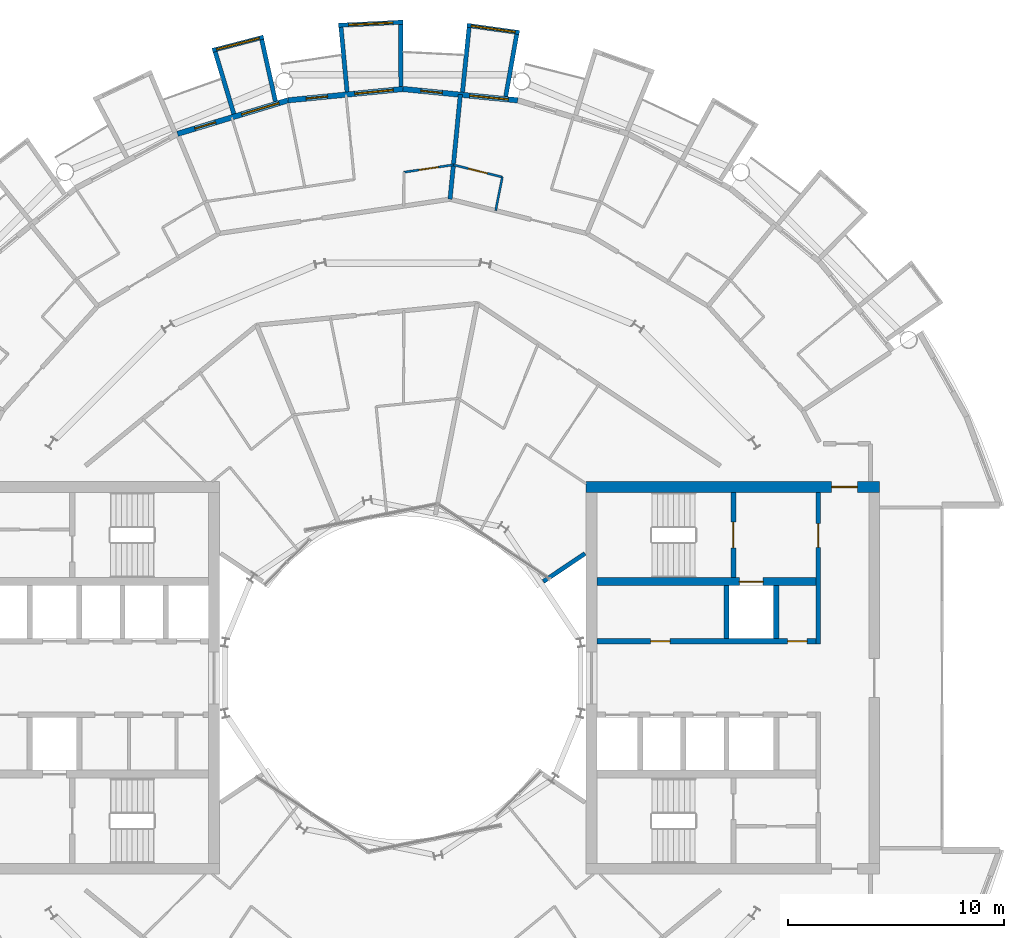
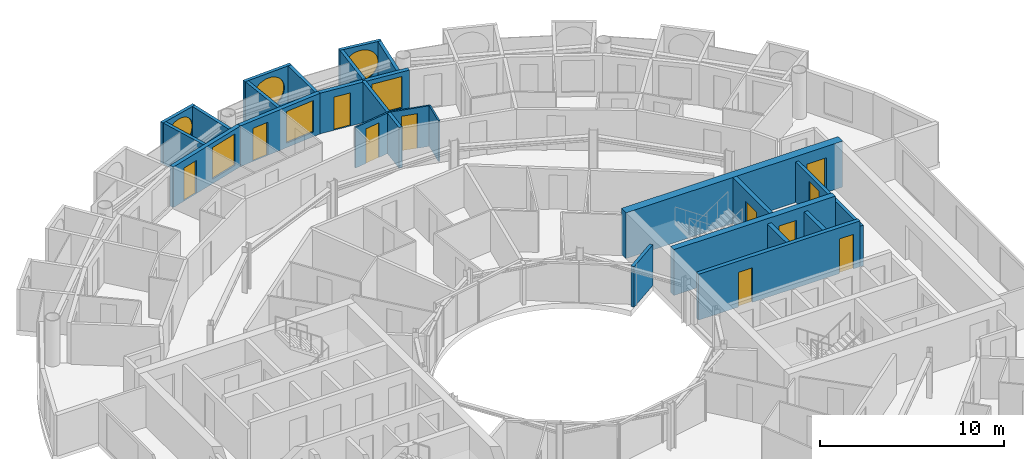
# One storey, part 21 of 27: 24 walls, 11 doors, 6 windows, 17 openings.
"""IFC4 building model written with IfcOpenShell, lengths in metres."""

from ifc_helpers import new_model, si_unit, direction, frame, frame_2d, origin, place, context, subcontext, project, spatial, rectangle, circle, extrude, material, layer, layer_set, type_object, element, fill, save


model = new_model("IFC4")

# Units and contexts
model_context = context("Model", 3, precision=1e-05, world=origin(), true_north=direction((0.0, 1.0)))
body_context = subcontext(model_context, "Body", "Model", "MODEL_VIEW")
ifc_project = project(units=[si_unit("LENGTHUNIT", "METRE"), si_unit("AREAUNIT", "SQUARE_METRE"), si_unit("VOLUMEUNIT", "CUBIC_METRE"), si_unit("PLANEANGLEUNIT", "RADIAN"), si_unit("MASSUNIT", "GRAM", prefix="KILO")], contexts=[model_context])

# Site, building, storey
site_placement = place(None, origin())
site = spatial("IfcSite", under=ifc_project, at=site_placement, CompositionType="ELEMENT")
building_placement = place(site_placement, origin())
building = spatial("IfcBuilding", under=site, at=building_placement, Name="Maasbend Ring Residences", CompositionType="ELEMENT")
storey_placement = place(building_placement, frame((0.0, 0.0, 145.199951171875)))
storey = spatial("IfcBuildingStorey", under=building, at=storey_placement, Name="L41", CompositionType="ELEMENT", Elevation=145.199951171875)

# Wall, openings, doors
ifc_material_1 = material(Name="Concrete C60/75", Category="concrete")
ifc_layer_1 = layer(ifc_material_1, 0.25)
ifc_layer_set_1 = layer_set([ifc_layer_1], Name="Concrete C60/75")
wall_type_1 = type_object("IfcWallType", Name="CORE WALL 250 C60/75", PredefinedType="SHEAR", material=ifc_layer_set_1)
wall_1_placement = place(storey_placement, frame((9.0, 1.699951171875, 0.0), z_axis=(0.0, 0.0, 1.0), x_axis=(1.0, 0.0, 0.0)))
wall_1 = element("IfcWall", 1, at=wall_1_placement, inside=storey, type_object=wall_type_1, Name="L41 core E wall SPN", PredefinedType="SHEAR", context=body_context, shape_type="SweptSolid", body=[
    extrude(rectangle(XDim=10.14990234375, YDim=0.25, at=frame_2d((5.074951171875, 0.0))), origin(), (0.0, 0.0, 1.0), 3.050048828125),
])
opening_1_placement = place(wall_1_placement, frame((2.487548828125, 0.0, 0.0)))
opening_1 = element("IfcOpeningElement", 2, at=opening_1_placement, cuts=wall_1, Name="Opening D-E4106", PredefinedType="OPENING", context=body_context, shape_type="SweptSolid", body=[
    extrude(rectangle(XDim=0.89990234375, YDim=2.300048828125, at=frame_2d((0.449951171875, 1.14990234375))), frame((0.0, 0.135009765625, 0.0), z_axis=(0.0, -1.0, 0.0), x_axis=(1.0, 0.0, 0.0)), (0.0, 0.0, 1.0), 0.27001953125),
])
opening_2_placement = place(wall_1_placement, frame((8.83740234375, 0.0, 0.0)))
opening_2 = element("IfcOpeningElement", 3, at=opening_2_placement, cuts=wall_1, Name="Opening D-E4107", PredefinedType="OPENING", context=body_context, shape_type="SweptSolid", body=[
    extrude(rectangle(XDim=0.89990234375, YDim=2.300048828125, at=frame_2d((0.449951171875, 1.14990234375))), frame((0.0, 0.135009765625, 0.0), z_axis=(0.0, -1.0, 0.0), x_axis=(1.0, 0.0, 0.0)), (0.0, 0.0, 1.0), 0.27001953125),
])
ifc_material_2 = material(Name="Steel, powder coated", Category="steel")
door_type_1 = type_object("IfcDoorType", Name="ROOM DOOR 900 X 2300 FD30S", OperationType="NOTDEFINED", PredefinedType="DOOR", material=ifc_material_2)
door_1_placement = place(opening_1_placement, origin())
door_1 = element("IfcDoor", 4, at=door_1_placement, inside=storey, type_object=door_type_1, Name="Room door L41", OperationType="SINGLE_SWING_RIGHT", OverallHeight=2.300048828125, OverallWidth=0.89990234375, PredefinedType="DOOR", context=body_context, shape_type="SweptSolid", body=[
    extrude(rectangle(XDim=0.89990234375, YDim=2.300048828125, at=frame_2d((0.449951171875, 1.14990234375))), frame((0.0, 0.02490234375, 0.0), z_axis=(0.0, -1.0, 0.0), x_axis=(1.0, 0.0, 0.0)), (0.0, 0.0, 1.0), 0.050048828125),
])
fill(opening_1, door_1)
door_2_placement = place(opening_2_placement, origin())
door_2 = element("IfcDoor", 5, at=door_2_placement, inside=storey, type_object=door_type_1, Name="Room door L41", OperationType="SINGLE_SWING_LEFT", OverallHeight=2.300048828125, OverallWidth=0.89990234375, PredefinedType="DOOR", context=body_context, shape_type="SweptSolid", body=[
    extrude(rectangle(XDim=0.89990234375, YDim=2.300048828125, at=frame_2d((0.449951171875, 1.14990234375))), frame((0.0, 0.02490234375, 0.0), z_axis=(0.0, -1.0, 0.0), x_axis=(1.0, 0.0, 0.0)), (0.0, 0.0, 1.0), 0.050048828125),
])
fill(opening_2, door_2)

# Wall, opening, door
wall_2_placement = place(storey_placement, frame((15.324951171875, 4.64990234375, 0.0), z_axis=(0.0, 0.0, 1.0), x_axis=(0.0, 1.0, 0.0)))
wall_2 = element("IfcWall", 6, at=wall_2_placement, inside=storey, type_object=wall_type_1, Name="L41 core E wall STEN", PredefinedType="SHEAR", context=body_context, shape_type="SweptSolid", body=[
    extrude(rectangle(XDim=3.9501953125, YDim=0.25, at=frame_2d((1.97509765625, 0.0))), origin(), (0.0, 0.0, 1.0), 3.050048828125),
])
opening_3_placement = place(wall_2_placement, frame((1.375, 0.0, 0.0)))
opening_3 = element("IfcOpeningElement", 7, at=opening_3_placement, cuts=wall_2, Name="Opening D-E4110", PredefinedType="OPENING", context=body_context, shape_type="SweptSolid", body=[
    extrude(rectangle(XDim=1.199951171875, YDim=2.300048828125, at=frame_2d((0.60009765625, 1.14990234375))), frame((0.0, 0.135009765625, 0.0), z_axis=(0.0, -1.0, 0.0), x_axis=(1.0, 0.0, 0.0)), (0.0, 0.0, 1.0), 0.27001953125),
])
ifc_material_3 = material(Name="Steel, powder coated", Category="steel")
door_type_2 = type_object("IfcDoorType", Name="STAIR DOOR 1200 X 2300 FD60", OperationType="NOTDEFINED", PredefinedType="DOOR", material=ifc_material_3)
door_3_placement = place(opening_3_placement, origin())
door_3 = element("IfcDoor", 8, at=door_3_placement, inside=storey, type_object=door_type_2, Name="Stair door ST-E L41", OperationType="SINGLE_SWING_LEFT", OverallHeight=2.300048828125, OverallWidth=1.199951171875, PredefinedType="DOOR", context=body_context, shape_type="SweptSolid", body=[
    extrude(rectangle(XDim=1.199951171875, YDim=2.300048828125, at=frame_2d((0.60009765625, 1.14990234375))), frame((0.0, 0.02490234375, 0.0), z_axis=(0.0, -1.0, 0.0), x_axis=(1.0, 0.0, 0.0)), (0.0, 0.0, 1.0), 0.050048828125),
])
fill(opening_3, door_3)

ifc_material_4 = material(Name="Concrete C60/75", Category="concrete")
ifc_layer_2 = layer(ifc_material_4, 0.375)
ifc_layer_set_2 = layer_set([ifc_layer_2], Name="Concrete C60/75")
wall_type_2 = type_object("IfcWallType", Name="CORE WALL 375 C60/75", PredefinedType="SHEAR", material=ifc_layer_set_2)
wall_3_placement = place(storey_placement, frame((9.0, 4.46240234375, 0.0), z_axis=(0.0, 0.0, 1.0), x_axis=(1.0, 0.0, 0.0)))
wall_3 = element("IfcWall", 9, at=wall_3_placement, inside=storey, type_object=wall_type_2, Name="L41 core E wall BN", PredefinedType="SHEAR", context=body_context, shape_type="SweptSolid", body=[
    extrude(rectangle(XDim=10.14990234375, YDim=0.375, at=frame_2d((5.074951171875, 0.0))), origin(), (0.0, 0.0, 1.0), 3.050048828125),
])
opening_4_placement = place(wall_3_placement, frame((6.60009765625, 0.0, 0.0)))
opening_4 = element("IfcOpeningElement", 10, at=opening_4_placement, cuts=wall_3, Name="Opening LD-E4101", PredefinedType="OPENING", context=body_context, shape_type="SweptSolid", body=[
    extrude(rectangle(XDim=1.10009765625, YDim=2.300048828125, at=frame_2d((0.550048828125, 1.14990234375))), frame((0.0, 0.197509765625, 0.0), z_axis=(0.0, -1.0, 0.0), x_axis=(1.0, 0.0, 0.0)), (0.0, 0.0, 1.0), 0.39501953125),
])
ifc_material_5 = material(Name="Stainless steel 316", Category="steel")
door_type_3 = type_object("IfcDoorType", Name="LANDING DOOR 1100 X 2300 FD60", OperationType="DOUBLE_DOOR_SLIDING", PredefinedType="DOOR", material=ifc_material_5)
door_4_placement = place(opening_4_placement, origin())
door_4 = element("IfcDoor", 11, at=door_4_placement, inside=storey, type_object=door_type_3, Name="Landing door FF-E L41", OperationType="DOUBLE_DOOR_SLIDING", OverallHeight=2.300048828125, OverallWidth=1.10009765625, PredefinedType="DOOR", context=body_context, shape_type="SweptSolid", body=[
    extrude(rectangle(XDim=1.10009765625, YDim=2.300048828125, at=frame_2d((0.550048828125, 1.14990234375))), frame((0.0, 0.02490234375, 0.0), z_axis=(0.0, -1.0, 0.0), x_axis=(1.0, 0.0, 0.0)), (0.0, 0.0, 1.0), 0.050048828125),
])
fill(opening_4, door_4)

ifc_material_6 = material(Name="Concrete C60/75", Category="concrete")
ifc_layer_3 = layer(ifc_material_6, 0.5)
ifc_layer_set_3 = layer_set([ifc_layer_3], Name="Concrete C60/75")
wall_type_3 = type_object("IfcWallType", Name="CORE WALL 500 C60/75", PredefinedType="SHEAR", material=ifc_layer_set_3)
wall_4_placement = place(storey_placement, frame((22.10009765625, 8.85009765625, 0.0), z_axis=(0.0, 0.0, 1.0), x_axis=(-1.0, 0.0, 0.0)))
wall_4 = element("IfcWall", 12, at=wall_4_placement, inside=storey, type_object=wall_type_3, Name="L41 core E wall PN", PredefinedType="SHEAR", context=body_context, shape_type="SweptSolid", body=[
    extrude(rectangle(XDim=13.60009765625, YDim=0.5, at=frame_2d((6.800048828125, 0.0))), origin(), (0.0, 0.0, 1.0), 3.050048828125),
])
opening_5_placement = place(wall_4_placement, frame((1.02490234375, 0.0, 0.0)))
opening_5 = element("IfcOpeningElement", 13, at=opening_5_placement, cuts=wall_4, Name="Opening D-E4114", PredefinedType="OPENING", context=body_context, shape_type="SweptSolid", body=[
    extrude(rectangle(XDim=1.199951171875, YDim=2.300048828125, at=frame_2d((0.60009765625, 1.14990234375))), frame((0.0, 0.260009765625, 0.0), z_axis=(0.0, -1.0, 0.0), x_axis=(1.0, 0.0, 0.0)), (0.0, 0.0, 1.0), 0.52001953125),
])
ifc_material_7 = material(Name="Steel, powder coated", Category="steel")
door_type_4 = type_object("IfcDoorType", Name="CORRIDOR DOOR 1200 X 2300 FD30S", OperationType="NOTDEFINED", PredefinedType="DOOR", material=ifc_material_7)
door_5_placement = place(opening_5_placement, origin())
door_5 = element("IfcDoor", 14, at=door_5_placement, inside=storey, type_object=door_type_4, Name="Corridor door L41", OperationType="SINGLE_SWING_RIGHT", OverallHeight=2.300048828125, OverallWidth=1.199951171875, PredefinedType="DOOR", context=body_context, shape_type="SweptSolid", body=[
    extrude(rectangle(XDim=1.199951171875, YDim=2.300048828125, at=frame_2d((0.60009765625, 1.14990234375))), frame((0.0, 0.02490234375, 0.0), z_axis=(0.0, -1.0, 0.0), x_axis=(1.0, 0.0, 0.0)), (0.0, 0.0, 1.0), 0.050048828125),
])
fill(opening_5, door_5)

# Wall, opening, window
ifc_material_8 = material(Name="Pale anodised aluminium panel", Category="aluminium")
ifc_layer_4 = layer(ifc_material_8, 0.199951171875)
ifc_layer_set_4 = layer_set([ifc_layer_4], Name="EW-BOX")
wall_type_4 = type_object("IfcWallType", Name="EW-BOX", PredefinedType="SOLIDWALL", material=ifc_layer_set_4)
wall_5_placement = place(storey_placement, frame((5.39794921875, 29.9169921875, -0.030029296875), z_axis=(0.0, 0.0, 1.0), x_axis=(-0.990462016113, 0.137786046596, 0.0)))
wall_5 = element("IfcWall", 15, at=wall_5_placement, inside=storey, type_object=wall_type_4, Name="Box front N09", PredefinedType="SOLIDWALL", context=body_context, shape_type="SweptSolid", body=[
    extrude(rectangle(XDim=2.4453125, YDim=0.199951171875, at=frame_2d((1.22265625, 0.0))), origin(), (0.0, 0.0, 1.0), 2.72998046875),
])
opening_6_placement = place(wall_5_placement, frame((0.182861328125, 0.0, 0.330078125)))
opening_6 = element("IfcOpeningElement", 16, at=opening_6_placement, cuts=wall_5, Name="Opening W-RD", PredefinedType="OPENING", context=body_context, shape_type="SweptSolid", body=[
    extrude(circle(Radius=1.0400390625, at=frame_2d((1.0400390625, 1.0400390625))), frame((0.0, 0.10986328125, 0.0), z_axis=(0.0, -1.0, 0.0), x_axis=(1.0, 0.0, 0.0)), (0.0, 0.0, 1.0), 0.219970703125),
])
ifc_material_9 = material(Name="Aluminium and clear glass", Category="aluminium")
window_type_1 = type_object("IfcWindowType", Name="W-RD", PartitioningType="SINGLE_PANEL", PredefinedType="WINDOW", material=ifc_material_9)
window_1_placement = place(opening_6_placement, origin())
window_1 = element("IfcWindow", 17, at=window_1_placement, inside=storey, type_object=window_type_1, Name="Round window N09", OverallHeight=2.080078125, OverallWidth=2.080078125, PartitioningType="SINGLE_PANEL", PredefinedType="WINDOW", context=body_context, shape_type="SweptSolid", body=[
    extrude(circle(Radius=1.0400390625, at=frame_2d((1.0400390625, 1.0400390625))), frame((0.0, 0.030029296875, 0.0), z_axis=(0.0, -1.0, 0.0), x_axis=(1.0, 0.0, 0.0)), (0.0, 0.0, 1.0), 0.06005859375),
])
fill(opening_6, window_1)

# Walls
wall_6_placement = place(storey_placement, frame((4.76904296875, 26.9560546875, -0.030029296875), z_axis=(0.0, 0.0, 1.0), x_axis=(0.174056778901, 0.984735618183, 0.0)))
element("IfcWall", 18, at=wall_6_placement, inside=storey, type_object=wall_type_4, Name="Box side wall N09 left", PredefinedType="SOLIDWALL", context=body_context, shape_type="SweptSolid", body=[
    extrude(rectangle(XDim=2.924560546875, YDim=0.199951171875, at=frame_2d((1.46240234375, 0.0))), origin(), (0.0, 0.0, 1.0), 2.72998046875),
])
wall_7_placement = place(storey_placement, frame((2.763916015625, 27.153076171875, -0.030029296875), z_axis=(0.0, 0.0, 1.0), x_axis=(0.101505487237, 0.994834979311, 0.0)))
element("IfcWall", 19, at=wall_7_placement, inside=storey, type_object=wall_type_4, Name="Box side wall N09 right", PredefinedType="SOLIDWALL", context=body_context, shape_type="SweptSolid", body=[
    extrude(rectangle(XDim=3.006591796875, YDim=0.199951171875, at=frame_2d((1.50341796875, 0.0))), origin(), (0.0, 0.0, 1.0), 2.72998046875),
])

# Wall, opening, window
wall_8_placement = place(storey_placement, frame((0.0048828125, 30.39990234375, -0.030029296875), z_axis=(0.0, 0.0, 1.0), x_axis=(-0.998794083011, -0.049095618353, 0.0)))
wall_8 = element("IfcWall", 20, at=wall_8_placement, inside=storey, type_object=wall_type_4, Name="Box front N11", PredefinedType="SOLIDWALL", context=body_context, shape_type="SweptSolid", body=[
    extrude(rectangle(XDim=2.99365234375, YDim=0.199951171875, at=frame_2d((1.496826171875, 0.0))), origin(), (0.0, 0.0, 1.0), 2.72998046875),
])
opening_7_placement = place(wall_8_placement, frame((0.45654296875, 0.0, 0.330078125)))
opening_7 = element("IfcOpeningElement", 21, at=opening_7_placement, cuts=wall_8, Name="Opening W-RD", PredefinedType="OPENING", context=body_context, shape_type="SweptSolid", body=[
    extrude(circle(Radius=1.0400390625, at=frame_2d((1.0400390625, 1.0400390625))), frame((0.0, 0.10986328125, 0.0), z_axis=(0.0, -1.0, 0.0), x_axis=(1.0, 0.0, 0.0)), (0.0, 0.0, 1.0), 0.219970703125),
])
window_2_placement = place(opening_7_placement, origin())
window_2 = element("IfcWindow", 22, at=window_2_placement, inside=storey, type_object=window_type_1, Name="Round window N11", OverallHeight=2.080078125, OverallWidth=2.080078125, PartitioningType="SINGLE_PANEL", PredefinedType="WINDOW", context=body_context, shape_type="SweptSolid", body=[
    extrude(circle(Radius=1.0400390625, at=frame_2d((1.0400390625, 1.0400390625))), frame((0.0, 0.030029296875, 0.0), z_axis=(0.0, -1.0, 0.0), x_axis=(1.0, 0.0, 0.0)), (0.0, 0.0, 1.0), 0.06005859375),
])
fill(opening_7, window_2)

# Walls
wall_9_placement = place(storey_placement, frame((-0.090087890625, 27.4169921875, -0.030029296875), z_axis=(0.0, 0.0, 1.0), x_axis=(-0.00347308367, 0.999993968827, 0.0)))
element("IfcWall", 23, at=wall_9_placement, inside=storey, type_object=wall_type_4, Name="Box side wall N11 left", PredefinedType="SOLIDWALL", context=body_context, shape_type="SweptSolid", body=[
    extrude(rectangle(XDim=2.882080078125, YDim=0.199951171875, at=frame_2d((1.44091796875, 0.0))), origin(), (0.0, 0.0, 1.0), 2.72998046875),
])
wall_10_placement = place(storey_placement, frame((-2.5859375, 27.1708984375, -0.030029296875), z_axis=(0.0, 0.0, 1.0), x_axis=(-0.094548432284, 0.995520262954, 0.0)))
element("IfcWall", 24, at=wall_10_placement, inside=storey, type_object=wall_type_4, Name="Box side wall N11 right", PredefinedType="SOLIDWALL", context=body_context, shape_type="SweptSolid", body=[
    extrude(rectangle(XDim=3.005615234375, YDim=0.199951171875, at=frame_2d((1.5029296875, 0.0))), origin(), (0.0, 0.0, 1.0), 2.72998046875),
])

# Wall, opening, window
wall_11_placement = place(storey_placement, frame((-6.4609375, 29.705078125, -0.030029296875), z_axis=(0.0, 0.0, 1.0), x_axis=(-0.96789536872, -0.251353446784, 0.0)))
wall_11 = element("IfcWall", 25, at=wall_11_placement, inside=storey, type_object=wall_type_4, Name="Box front N13", PredefinedType="SOLIDWALL", context=body_context, shape_type="SweptSolid", body=[
    extrude(rectangle(XDim=2.44677734375, YDim=0.199951171875, at=frame_2d((1.223388671875, 0.0))), origin(), (0.0, 0.0, 1.0), 2.72998046875),
])
opening_8_placement = place(wall_11_placement, frame((0.182861328125, 0.0, 0.330078125)))
opening_8 = element("IfcOpeningElement", 26, at=opening_8_placement, cuts=wall_11, Name="Opening W-RD", PredefinedType="OPENING", context=body_context, shape_type="SweptSolid", body=[
    extrude(circle(Radius=1.0400390625, at=frame_2d((1.0400390625, 1.0400390625))), frame((0.0, 0.10986328125, 0.0), z_axis=(0.0, -1.0, 0.0), x_axis=(1.0, 0.0, 0.0)), (0.0, 0.0, 1.0), 0.219970703125),
])
window_3_placement = place(opening_8_placement, origin())
window_3 = element("IfcWindow", 27, at=window_3_placement, inside=storey, type_object=window_type_1, Name="Round window N13", OverallHeight=2.080078125, OverallWidth=2.080078125, PartitioningType="SINGLE_PANEL", PredefinedType="WINDOW", context=body_context, shape_type="SweptSolid", body=[
    extrude(circle(Radius=1.0400390625, at=frame_2d((1.0400390625, 1.0400390625))), frame((0.0, 0.030029296875, 0.0), z_axis=(0.0, -1.0, 0.0), x_axis=(1.0, 0.0, 0.0)), (0.0, 0.0, 1.0), 0.06005859375),
])
fill(opening_8, window_3)

# Walls
wall_12_placement = place(storey_placement, frame((-5.908935546875, 26.72900390625, -0.030029296875), z_axis=(0.0, 0.0, 1.0), x_axis=(-0.216409053917, 0.976302781612, 0.0)))
element("IfcWall", 28, at=wall_12_placement, inside=storey, type_object=wall_type_4, Name="Box side wall N13 left", PredefinedType="SOLIDWALL", context=body_context, shape_type="SweptSolid", body=[
    extrude(rectangle(XDim=2.92529296875, YDim=0.199951171875, at=frame_2d((1.462646484375, 0.0))), origin(), (0.0, 0.0, 1.0), 2.72998046875),
])
wall_13_placement = place(storey_placement, frame((-7.8369140625, 26.14404296875, -0.030029296875), z_axis=(0.0, 0.0, 1.0), x_axis=(-0.287064767992, 0.957911174889, 0.0)))
element("IfcWall", 29, at=wall_13_placement, inside=storey, type_object=wall_type_4, Name="Box side wall N13 right", PredefinedType="SOLIDWALL", context=body_context, shape_type="SweptSolid", body=[
    extrude(rectangle(XDim=3.00634765625, YDim=0.199951171875, at=frame_2d((1.503173828125, 0.0))), origin(), (0.0, 0.0, 1.0), 2.72998046875),
])

# Wall, openings, door, window
ifc_material_10 = material(Name="Aluminium clad insulated panel", Category="aluminium")
ifc_layer_5 = layer(ifc_material_10, 0.25)
ifc_layer_set_5 = layer_set([ifc_layer_5], Name="EW-GL")
wall_type_5 = type_object("IfcWallType", Name="EW-GL", PredefinedType="SOLIDWALL", material=ifc_layer_set_5)
wall_14_placement = place(storey_placement, frame((5.325927734375, 26.77490234375, 0.0), z_axis=(0.0, 0.0, 1.0), x_axis=(-0.995173996315, 0.098126026407, 0.0)))
wall_14 = element("IfcWall", 30, at=wall_14_placement, inside=storey, type_object=wall_type_5, Name="External wall N05", PredefinedType="SOLIDWALL", context=body_context, shape_type="SweptSolid", body=[
    extrude(rectangle(XDim=5.351806640625, YDim=0.25, at=frame_2d((2.67578125, 0.0))), origin(), (0.0, 0.0, 1.0), 2.699951171875),
])
opening_9_placement = place(wall_14_placement, frame((0.441162109375, 0.0, 0.300048828125)))
opening_9 = element("IfcOpeningElement", 31, at=opening_9_placement, cuts=wall_14, Name="Opening W-BX", PredefinedType="OPENING", context=body_context, shape_type="SweptSolid", body=[
    extrude(rectangle(XDim=1.800048828125, YDim=2.10009765625, at=frame_2d((0.89990234375, 1.050048828125))), frame((0.0, 0.135009765625, 0.0), z_axis=(0.0, -1.0, 0.0), x_axis=(1.0, 0.0, 0.0)), (0.0, 0.0, 1.0), 0.27001953125),
])
opening_10_placement = place(wall_14_placement, frame((3.510498046875, 0.0, 0.0)))
opening_10 = element("IfcOpeningElement", 32, at=opening_10_placement, cuts=wall_14, Name="Opening D-LG", PredefinedType="OPENING", context=body_context, shape_type="SweptSolid", body=[
    extrude(rectangle(XDim=1.0, YDim=2.199951171875, at=frame_2d((0.5, 1.10009765625))), frame((0.0, 0.135009765625, 0.0), z_axis=(0.0, -1.0, 0.0), x_axis=(1.0, 0.0, 0.0)), (0.0, 0.0, 1.0), 0.27001953125),
])
ifc_material_11 = material(Name="Aluminium and clear glass", Category="aluminium")
door_type_5 = type_object("IfcDoorType", Name="D-LG", OperationType="SINGLE_SWING_LEFT", PredefinedType="DOOR", material=ifc_material_11)
door_6_placement = place(opening_10_placement, origin())
door_6 = element("IfcDoor", 33, at=door_6_placement, inside=storey, type_object=door_type_5, Name="Loggia door N10", OperationType="SINGLE_SWING_LEFT", OverallHeight=2.199951171875, OverallWidth=1.0, PredefinedType="DOOR", context=body_context, shape_type="SweptSolid", body=[
    extrude(rectangle(XDim=1.0, YDim=2.199951171875, at=frame_2d((0.5, 1.10009765625))), frame((0.0, 0.02490234375, 0.0), z_axis=(0.0, -1.0, 0.0), x_axis=(1.0, 0.0, 0.0)), (0.0, 0.0, 1.0), 0.050048828125),
])
fill(opening_10, door_6)
ifc_material_12 = material(Name="Aluminium and clear glass", Category="aluminium")
window_type_2 = type_object("IfcWindowType", Name="W-BX", PartitioningType="DOUBLE_PANEL_VERTICAL", PredefinedType="WINDOW", material=ifc_material_12)
window_4_placement = place(opening_9_placement, origin())
window_4 = element("IfcWindow", 34, at=window_4_placement, inside=storey, type_object=window_type_2, Name="Window N09 room to box", OverallHeight=2.10009765625, OverallWidth=1.800048828125, PartitioningType="SINGLE_PANEL", PredefinedType="WINDOW", context=body_context, shape_type="SweptSolid", body=[
    extrude(rectangle(XDim=1.800048828125, YDim=2.10009765625, at=frame_2d((0.89990234375, 1.050048828125))), frame((0.0, 0.030029296875, 0.0), z_axis=(0.0, -1.0, 0.0), x_axis=(1.0, 0.0, 0.0)), (0.0, 0.0, 1.0), 0.06005859375),
])
fill(opening_9, window_4)

wall_15_placement = place(storey_placement, frame((0.0, 27.300048828125, 0.0), z_axis=(0.0, 0.0, 1.0), x_axis=(-0.995173996315, -0.098126026407, 0.0)))
wall_15 = element("IfcWall", 35, at=wall_15_placement, inside=storey, type_object=wall_type_5, Name="External wall N06", PredefinedType="SOLIDWALL", context=body_context, shape_type="SweptSolid", body=[
    extrude(rectangle(XDim=5.351806640625, YDim=0.25, at=frame_2d((2.67578125, 0.0))), origin(), (0.0, 0.0, 1.0), 2.699951171875),
])
opening_11_placement = place(wall_15_placement, frame((0.441162109375, 0.0, 0.300048828125)))
opening_11 = element("IfcOpeningElement", 36, at=opening_11_placement, cuts=wall_15, Name="Opening W-BX", PredefinedType="OPENING", context=body_context, shape_type="SweptSolid", body=[
    extrude(rectangle(XDim=1.800048828125, YDim=2.10009765625, at=frame_2d((0.89990234375, 1.050048828125))), frame((0.0, 0.135009765625, 0.0), z_axis=(0.0, -1.0, 0.0), x_axis=(1.0, 0.0, 0.0)), (0.0, 0.0, 1.0), 0.27001953125),
])
opening_12_placement = place(wall_15_placement, frame((3.510498046875, 0.0, 0.0)))
opening_12 = element("IfcOpeningElement", 37, at=opening_12_placement, cuts=wall_15, Name="Opening D-LG", PredefinedType="OPENING", context=body_context, shape_type="SweptSolid", body=[
    extrude(rectangle(XDim=1.0, YDim=2.199951171875, at=frame_2d((0.5, 1.10009765625))), frame((0.0, 0.135009765625, 0.0), z_axis=(0.0, -1.0, 0.0), x_axis=(1.0, 0.0, 0.0)), (0.0, 0.0, 1.0), 0.27001953125),
])
door_7_placement = place(opening_12_placement, origin())
door_7 = element("IfcDoor", 38, at=door_7_placement, inside=storey, type_object=door_type_5, Name="Loggia door N12", OperationType="SINGLE_SWING_LEFT", OverallHeight=2.199951171875, OverallWidth=1.0, PredefinedType="DOOR", context=body_context, shape_type="SweptSolid", body=[
    extrude(rectangle(XDim=1.0, YDim=2.199951171875, at=frame_2d((0.5, 1.10009765625))), frame((0.0, 0.02490234375, 0.0), z_axis=(0.0, -1.0, 0.0), x_axis=(1.0, 0.0, 0.0)), (0.0, 0.0, 1.0), 0.050048828125),
])
fill(opening_12, door_7)
window_5_placement = place(opening_11_placement, origin())
window_5 = element("IfcWindow", 39, at=window_5_placement, inside=storey, type_object=window_type_2, Name="Window N11 room to box", OverallHeight=2.10009765625, OverallWidth=1.800048828125, PartitioningType="SINGLE_PANEL", PredefinedType="WINDOW", context=body_context, shape_type="SweptSolid", body=[
    extrude(rectangle(XDim=1.800048828125, YDim=2.10009765625, at=frame_2d((0.89990234375, 1.050048828125))), frame((0.0, 0.030029296875, 0.0), z_axis=(0.0, -1.0, 0.0), x_axis=(1.0, 0.0, 0.0)), (0.0, 0.0, 1.0), 0.06005859375),
])
fill(opening_11, window_5)

wall_16_placement = place(storey_placement, frame((-5.325927734375, 26.77490234375, 0.0), z_axis=(0.0, 0.0, 1.0), x_axis=(-0.956965678721, -0.290201119486, 0.0)))
wall_16 = element("IfcWall", 40, at=wall_16_placement, inside=storey, type_object=wall_type_5, Name="External wall N07", PredefinedType="SOLIDWALL", context=body_context, shape_type="SweptSolid", body=[
    extrude(rectangle(XDim=5.351318359375, YDim=0.25, at=frame_2d((2.67578125, 0.0))), origin(), (0.0, 0.0, 1.0), 2.699951171875),
])
opening_13_placement = place(wall_16_placement, frame((0.441162109375, 0.0, 0.300048828125)))
opening_13 = element("IfcOpeningElement", 41, at=opening_13_placement, cuts=wall_16, Name="Opening W-BX", PredefinedType="OPENING", context=body_context, shape_type="SweptSolid", body=[
    extrude(rectangle(XDim=1.800048828125, YDim=2.10009765625, at=frame_2d((0.89990234375, 1.050048828125))), frame((0.0, 0.135009765625, 0.0), z_axis=(0.0, -1.0, 0.0), x_axis=(1.0, 0.0, 0.0)), (0.0, 0.0, 1.0), 0.27001953125),
])
opening_14_placement = place(wall_16_placement, frame((3.510498046875, 0.0, 0.0)))
opening_14 = element("IfcOpeningElement", 42, at=opening_14_placement, cuts=wall_16, Name="Opening D-LG", PredefinedType="OPENING", context=body_context, shape_type="SweptSolid", body=[
    extrude(rectangle(XDim=1.0, YDim=2.199951171875, at=frame_2d((0.5, 1.10009765625))), frame((0.0, 0.135009765625, 0.0), z_axis=(0.0, -1.0, 0.0), x_axis=(1.0, 0.0, 0.0)), (0.0, 0.0, 1.0), 0.27001953125),
])
door_8_placement = place(opening_14_placement, origin())
door_8 = element("IfcDoor", 43, at=door_8_placement, inside=storey, type_object=door_type_5, Name="Loggia door N14", OperationType="SINGLE_SWING_LEFT", OverallHeight=2.199951171875, OverallWidth=1.0, PredefinedType="DOOR", context=body_context, shape_type="SweptSolid", body=[
    extrude(rectangle(XDim=1.0, YDim=2.199951171875, at=frame_2d((0.5, 1.10009765625))), frame((0.0, 0.02490234375, 0.0), z_axis=(0.0, -1.0, 0.0), x_axis=(1.0, 0.0, 0.0)), (0.0, 0.0, 1.0), 0.050048828125),
])
fill(opening_14, door_8)
window_6_placement = place(opening_13_placement, origin())
window_6 = element("IfcWindow", 44, at=window_6_placement, inside=storey, type_object=window_type_2, Name="Window N13 room to box", OverallHeight=2.10009765625, OverallWidth=1.800048828125, PartitioningType="SINGLE_PANEL", PredefinedType="WINDOW", context=body_context, shape_type="SweptSolid", body=[
    extrude(rectangle(XDim=1.800048828125, YDim=2.10009765625, at=frame_2d((0.89990234375, 1.050048828125))), frame((0.0, 0.030029296875, 0.0), z_axis=(0.0, -1.0, 0.0), x_axis=(1.0, 0.0, 0.0)), (0.0, 0.0, 1.0), 0.06005859375),
])
fill(opening_13, window_6)

# Wall
ifc_material_13 = material(Name="Gypsum board on steel studs", Category="steel")
ifc_layer_6 = layer(ifc_material_13, 0.10009765625)
ifc_layer_set_6 = layer_set([ifc_layer_6], Name="PARTITION 100 GYPSUM")
wall_type_6 = type_object("IfcWallType", Name="PARTITION 100 GYPSUM", PredefinedType="PARTITIONING", material=ifc_layer_set_6)
wall_17_placement = place(storey_placement, frame((4.302001953125, 21.6630859375, 0.0), z_axis=(0.0, 0.0, 1.0), x_axis=(0.194485862594, 0.980905321247, 0.0)))
element("IfcWall", 45, at=wall_17_placement, inside=storey, type_object=wall_type_6, Name="U-L41-w030", PredefinedType="PARTITIONING", context=body_context, shape_type="SweptSolid", body=[
    extrude(rectangle(XDim=1.584228515625, YDim=0.10009765625, at=frame_2d((0.7919921875, 0.0))), origin(), (0.0, 0.0, 1.0), 2.699951171875),
])

# Wall, opening, door
wall_18_placement = place(storey_placement, frame((0.044921875, 23.444091796875, 0.0), z_axis=(0.0, 0.0, 1.0), x_axis=(0.989180881673, 0.146700999768, 0.0)))
wall_18 = element("IfcWall", 46, at=wall_18_placement, inside=storey, type_object=wall_type_6, Name="U-L41-w108", PredefinedType="PARTITIONING", context=body_context, shape_type="SweptSolid", body=[
    extrude(rectangle(XDim=2.3232421875, YDim=0.10009765625, at=frame_2d((1.16162109375, 0.0))), origin(), (0.0, 0.0, 1.0), 2.699951171875),
])
opening_15_placement = place(wall_18_placement, frame((0.7119140625, 0.0, 0.0)))
opening_15 = element("IfcOpeningElement", 47, at=opening_15_placement, cuts=wall_18, Name="Opening D-4111", PredefinedType="OPENING", context=body_context, shape_type="SweptSolid", body=[
    extrude(rectangle(XDim=0.89990234375, YDim=2.300048828125, at=frame_2d((0.449951171875, 1.14990234375))), frame((0.0, 0.06005859375, 0.0), z_axis=(0.0, -1.0, 0.0), x_axis=(1.0, 0.0, 0.0)), (0.0, 0.0, 1.0), 0.1201171875),
])
ifc_material_14 = material(Name="Timber, painted", Category="wood")
door_type_6 = type_object("IfcDoorType", Name="INTERNAL DOOR 900 X 2300", OperationType="NOTDEFINED", PredefinedType="DOOR", material=ifc_material_14)
door_9_placement = place(opening_15_placement, origin())
door_9 = element("IfcDoor", 48, at=door_9_placement, inside=storey, type_object=door_type_6, Name="D-4111", OperationType="SINGLE_SWING_LEFT", OverallHeight=2.300048828125, OverallWidth=0.89990234375, PredefinedType="DOOR", context=body_context, shape_type="SweptSolid", body=[
    extrude(rectangle(XDim=0.89990234375, YDim=2.300048828125, at=frame_2d((0.449951171875, 1.14990234375))), frame((0.0, 0.02490234375, 0.0), z_axis=(0.0, -1.0, 0.0), x_axis=(1.0, 0.0, 0.0)), (0.0, 0.0, 1.0), 0.050048828125),
])
fill(opening_15, door_9)

wall_19_placement = place(storey_placement, frame((2.343017578125, 23.784912109375, 0.0), z_axis=(0.0, 0.0, 1.0), x_axis=(0.970031792706, -0.242978026043, 0.0)))
wall_19 = element("IfcWall", 49, at=wall_19_placement, inside=storey, type_object=wall_type_6, Name="U-L41-w113", PredefinedType="PARTITIONING", context=body_context, shape_type="SweptSolid", body=[
    extrude(rectangle(XDim=2.337158203125, YDim=0.10009765625, at=frame_2d((1.16845703125, 0.0))), origin(), (0.0, 0.0, 1.0), 2.699951171875),
])
opening_16_placement = place(wall_19_placement, frame((0.718994140625, 0.0, 0.0)))
opening_16 = element("IfcOpeningElement", 50, at=opening_16_placement, cuts=wall_19, Name="Opening D-4108", PredefinedType="OPENING", context=body_context, shape_type="SweptSolid", body=[
    extrude(rectangle(XDim=0.89990234375, YDim=2.300048828125, at=frame_2d((0.449951171875, 1.14990234375))), frame((0.0, 0.06005859375, 0.0), z_axis=(0.0, -1.0, 0.0), x_axis=(1.0, 0.0, 0.0)), (0.0, 0.0, 1.0), 0.1201171875),
])
door_10_placement = place(opening_16_placement, origin())
door_10 = element("IfcDoor", 51, at=door_10_placement, inside=storey, type_object=door_type_6, Name="D-4108", OperationType="SINGLE_SWING_RIGHT", OverallHeight=2.300048828125, OverallWidth=0.89990234375, PredefinedType="DOOR", context=body_context, shape_type="SweptSolid", body=[
    extrude(rectangle(XDim=0.89990234375, YDim=2.300048828125, at=frame_2d((0.449951171875, 1.14990234375))), frame((0.0, 0.02490234375, 0.0), z_axis=(0.0, -1.0, 0.0), x_axis=(1.0, 0.0, 0.0)), (0.0, 0.0, 1.0), 0.050048828125),
])
fill(opening_16, door_10)

# Walls
ifc_material_15 = material(Name="Concrete C30/37", Category="concrete")
ifc_layer_7 = layer(ifc_material_15, 0.199951171875)
ifc_layer_set_7 = layer_set([ifc_layer_7], Name="Concrete C30/37")
wall_type_7 = type_object("IfcWallType", Name="PARTY WALL 200 CONCRETE", PredefinedType="PARTITIONING", material=ifc_layer_set_7)
wall_20_placement = place(storey_placement, frame((2.18603515625, 22.193115234375, 0.0), z_axis=(0.0, 0.0, 1.0), x_axis=(0.098070432075, 0.995179476453, 0.0)))
element("IfcWall", 52, at=wall_20_placement, inside=storey, type_object=wall_type_7, Name="U-L41-w061", PredefinedType="PARTITIONING", context=body_context, shape_type="SweptSolid", body=[
    extrude(rectangle(XDim=4.874267578125, YDim=0.199951171875, at=frame_2d((2.43701171875, 0.0))), origin(), (0.0, 0.0, 1.0), 2.699951171875),
])
wall_21_placement = place(storey_placement, frame((6.512939453125, 4.471923828125, 0.0), z_axis=(0.0, 0.0, 1.0), x_axis=(0.83133816625, 0.555766905579, 0.0)))
element("IfcWall", 53, at=wall_21_placement, inside=storey, type_object=wall_type_7, Name="U-L41-w085", PredefinedType="PARTITIONING", context=body_context, shape_type="SweptSolid", body=[
    extrude(rectangle(XDim=2.322998046875, YDim=0.199951171875, at=frame_2d((1.16162109375, 0.0))), origin(), (0.0, 0.0, 1.0), 2.699951171875),
])

# Wall, opening, door
ifc_material_16 = material(Name="Concrete C30/37", Category="concrete")
ifc_layer_8 = layer(ifc_material_16, 0.199951171875)
ifc_layer_set_8 = layer_set([ifc_layer_8], Name="Concrete C30/37")
wall_type_8 = type_object("IfcWallType", Name="SHAFT WALL 200 EI 120", PredefinedType="SOLIDWALL", material=ifc_layer_set_8)
wall_22_placement = place(storey_placement, frame((19.25, 1.574951171875, 0.0), z_axis=(0.0, 0.0, 1.0), x_axis=(0.0, 1.0, 0.0)))
wall_22 = element("IfcWall", 54, at=wall_22_placement, inside=storey, type_object=wall_type_8, Name="L41 core E wall ENDN", PredefinedType="SOLIDWALL", context=body_context, shape_type="SweptSolid", body=[
    extrude(rectangle(XDim=7.025146484375, YDim=0.199951171875, at=frame_2d((3.5126953125, 0.0))), origin(), (0.0, 0.0, 1.0), 2.699951171875),
])
opening_17_placement = place(wall_22_placement, frame((4.47509765625, 0.0, 0.0)))
opening_17 = element("IfcOpeningElement", 55, at=opening_17_placement, cuts=wall_22, Name="Opening D-E4112", PredefinedType="OPENING", context=body_context, shape_type="SweptSolid", body=[
    extrude(rectangle(XDim=1.10009765625, YDim=2.300048828125, at=frame_2d((0.550048828125, 1.14990234375))), frame((0.0, 0.10986328125, 0.0), z_axis=(0.0, -1.0, 0.0), x_axis=(1.0, 0.0, 0.0)), (0.0, 0.0, 1.0), 0.219970703125),
])
ifc_material_17 = material(Name="Steel, powder coated", Category="steel")
door_type_7 = type_object("IfcDoorType", Name="LOBBY DOOR 1100 X 2300 FD60", OperationType="NOTDEFINED", PredefinedType="DOOR", material=ifc_material_17)
door_11_placement = place(opening_17_placement, origin())
door_11 = element("IfcDoor", 56, at=door_11_placement, inside=storey, type_object=door_type_7, Name="Lobby door L41", OperationType="SINGLE_SWING_LEFT", OverallHeight=2.300048828125, OverallWidth=1.10009765625, PredefinedType="DOOR", context=body_context, shape_type="SweptSolid", body=[
    extrude(rectangle(XDim=1.10009765625, YDim=2.300048828125, at=frame_2d((0.550048828125, 1.14990234375))), frame((0.0, 0.02490234375, 0.0), z_axis=(0.0, -1.0, 0.0), x_axis=(1.0, 0.0, 0.0)), (0.0, 0.0, 1.0), 0.050048828125),
])
fill(opening_17, door_11)

# Walls
ifc_material_18 = material(Name="Concrete C30/37", Category="concrete")
ifc_layer_9 = layer(ifc_material_18, 0.25)
ifc_layer_set_9 = layer_set([ifc_layer_9], Name="Concrete C30/37")
wall_type_9 = type_object("IfcWallType", Name="SHAFT WALL 250 EI 120", PredefinedType="SOLIDWALL", material=ifc_layer_set_9)
for number, where, z_axis, x_axis, name in (
    (57, (15.0, 1.824951171875, 0.0), (0.0, 0.0, 1.0), (0.0, 1.0, 0.0), "L41 core E wall D150N"),
    (58, (17.300048828125, 1.824951171875, 0.0), (0.0, 0.0, 1.0), (0.0, 1.0, 0.0), "L41 core E wall D173N"),
):
    element("IfcWall", number, at=place(storey_placement, frame(where, z_axis=z_axis, x_axis=x_axis)), inside=storey, type_object=wall_type_9, Name=name, PredefinedType="SOLIDWALL", context=body_context, shape_type="SweptSolid", body=[
        extrude(rectangle(XDim=2.449951171875, YDim=0.25, at=frame_2d((1.22509765625, 0.0))), origin(), (0.0, 0.0, 1.0), 2.699951171875),
    ])

save(model, "model.ifc")
